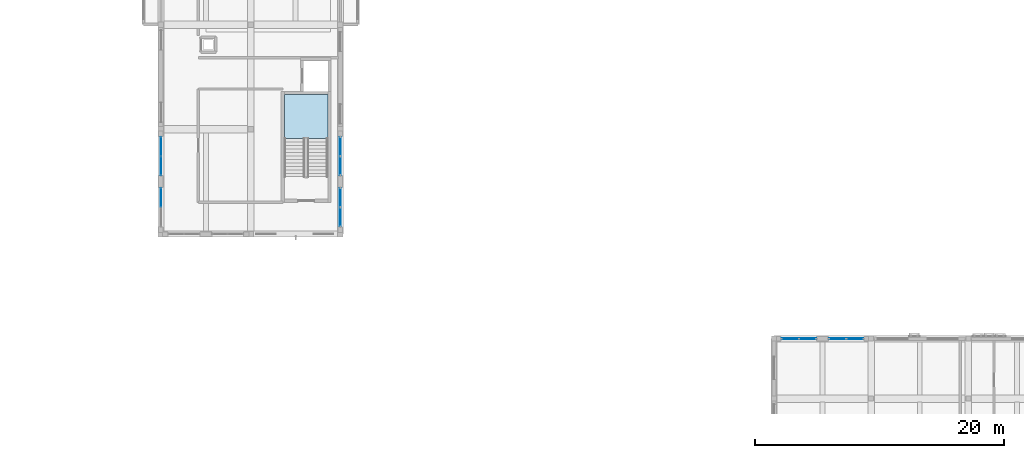
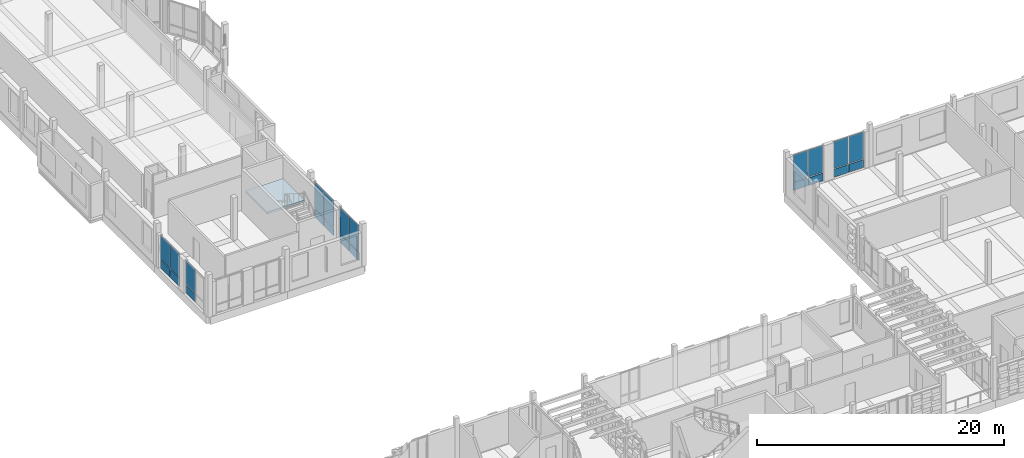
# One storey, part 50 of 99: 22 plates, 1 slab, 7 elements without a shape of their own.
"""IFC4 building model written with IfcOpenShell, lengths in metres."""

from ifc_helpers import new_model, si_unit, direction, frame, origin, origin_2d, place, context, subcontext, project, spatial, polyline, rectangle, outline, extrude, material, layer, layer_set, type_object, element, aggregate, save


model = new_model("IFC4")

# Units and contexts
model_context = context("Model", 3, precision=1e-05, world=origin(), true_north=direction((0.0, 1.0)))
body_context = subcontext(model_context, "Body", "Model", "MODEL_VIEW")
ifc_project = project(units=[si_unit("LENGTHUNIT", "METRE"), si_unit("AREAUNIT", "SQUARE_METRE"), si_unit("VOLUMEUNIT", "CUBIC_METRE"), si_unit("PLANEANGLEUNIT", "RADIAN"), si_unit("MASSUNIT", "GRAM", prefix="KILO")], contexts=[model_context])

# Site, building, storey
site_placement = place(None, origin())
site = spatial("IfcSite", under=ifc_project, at=site_placement, CompositionType="ELEMENT")
building_placement = place(site_placement, origin())
building = spatial("IfcBuilding", under=site, at=building_placement, Name="Kahlenmark Community Centre", CompositionType="ELEMENT")
storey_placement = place(building_placement, frame((0.0, 0.0, 5.39990234375)))
storey = spatial("IfcBuildingStorey", under=building, at=storey_placement, Name="L01", CompositionType="ELEMENT", Elevation=5.39990234375)

# Curtain wall, plates
ifc_material_1 = material(Name="Anodised aluminium unitised curtain wall", Category="aluminium")
curtain_wall_type_1 = type_object("IfcCurtainWallType", Name="CWT-UNIT-284X359", PredefinedType="USERDEFINED", material=ifc_material_1)
curtain_wall_1_placement = place(storey_placement, origin())
curtain_wall_1 = element("IfcCurtainWall", 1, at=curtain_wall_1_placement, inside=storey, type_object=curtain_wall_type_1, Name="Unitised curtain wall CW-054", ObjectType="UNITISED CURTAIN WALL", PredefinedType="USERDEFINED")
ifc_material_2 = material(Name="Triple low-e solar-control glass unit", Category="glass")
ifc_layer_1 = layer(ifc_material_2, 0.0439453125)
ifc_layer_set_1 = layer_set([ifc_layer_1], Name="Triple low-e solar-control glass unit")
plate_type_1 = type_object("IfcPlateType", Name="PLT-CW-GLZ-1340X2660", PredefinedType="CURTAIN_PANEL", material=ifc_layer_set_1)
plate_1_placement = place(storey_placement, frame((128.110107421875, 42.39990234375, 0.89013671875), z_axis=(0.0, 0.0, 1.0), x_axis=(-1.0, 0.0, 0.0)))
plate_1 = element("IfcPlate", 2, at=plate_1_placement, type_object=plate_type_1, Name="CW-054 glazed panel 1", PredefinedType="CURTAIN_PANEL", context=body_context, shape_type="SweptSolid", body=[
    extrude(rectangle(XDim=1.340087890625, YDim=0.0439453125, at=origin_2d()), origin(), (0.0, 0.0, 1.0), 2.659912109375),
])
plate_2_placement = place(storey_placement, frame((126.68994140625, 42.39990234375, 0.89013671875), z_axis=(0.0, 0.0, 1.0), x_axis=(-1.0, 0.0, 0.0)))
plate_2 = element("IfcPlate", 3, at=plate_2_placement, type_object=plate_type_1, Name="CW-054 glazed panel 2", PredefinedType="CURTAIN_PANEL", context=body_context, shape_type="SweptSolid", body=[
    extrude(rectangle(XDim=1.340087890625, YDim=0.0439453125, at=origin_2d()), origin(), (0.0, 0.0, 1.0), 2.659912109375),
])

curtain_wall_2_placement = place(storey_placement, origin())
curtain_wall_2 = element("IfcCurtainWall", 4, at=curtain_wall_2_placement, inside=storey, type_object=curtain_wall_type_1, Name="Unitised curtain wall CW-055", ObjectType="UNITISED CURTAIN WALL", PredefinedType="USERDEFINED")
plate_3_placement = place(storey_placement, frame((124.31005859375, 42.39990234375, 0.89013671875), z_axis=(0.0, 0.0, 1.0), x_axis=(-1.0, 0.0, 0.0)))
plate_3 = element("IfcPlate", 5, at=plate_3_placement, type_object=plate_type_1, Name="CW-055 glazed panel 1", PredefinedType="CURTAIN_PANEL", context=body_context, shape_type="SweptSolid", body=[
    extrude(rectangle(XDim=1.340087890625, YDim=0.0439453125, at=origin_2d()), origin(), (0.0, 0.0, 1.0), 2.659912109375),
])
plate_4_placement = place(storey_placement, frame((122.889892578125, 42.39990234375, 0.89013671875), z_axis=(0.0, 0.0, 1.0), x_axis=(-1.0, 0.0, 0.0)))
plate_4 = element("IfcPlate", 6, at=plate_4_placement, type_object=plate_type_1, Name="CW-055 glazed panel 2", PredefinedType="CURTAIN_PANEL", context=body_context, shape_type="SweptSolid", body=[
    extrude(rectangle(XDim=1.340087890625, YDim=0.0439453125, at=origin_2d()), origin(), (0.0, 0.0, 1.0), 2.659912109375),
])

curtain_wall_type_2 = type_object("IfcCurtainWallType", Name="CWT-UNIT-314X325", PredefinedType="USERDEFINED", material=ifc_material_1)
curtain_wall_3_placement = place(storey_placement, origin())
curtain_wall_3 = element("IfcCurtainWall", 7, at=curtain_wall_3_placement, inside=storey, type_object=curtain_wall_type_2, Name="Unitised curtain wall CW-042", ObjectType="UNITISED CURTAIN WALL", PredefinedType="USERDEFINED")
ifc_layer_2 = layer(ifc_material_2, 0.0439453125)
ifc_layer_set_2 = layer_set([ifc_layer_2], Name="Triple low-e solar-control glass unit")
plate_type_2 = type_object("IfcPlateType", Name="PLT-CW-GLZ-1490X2320", PredefinedType="CURTAIN_PANEL", material=ifc_layer_set_2)
plate_5_placement = place(storey_placement, frame((72.39990234375, 57.8349609375, 0.89013671875), z_axis=(0.0, 0.0, 1.0), x_axis=(0.0, -1.0, 0.0)))
plate_5 = element("IfcPlate", 8, at=plate_5_placement, type_object=plate_type_2, Name="CW-042 glazed panel 1", PredefinedType="CURTAIN_PANEL", context=body_context, shape_type="SweptSolid", body=[
    extrude(rectangle(XDim=1.489990234375, YDim=0.0439453125, at=origin_2d()), origin(), (0.0, 0.0, 1.0), 2.320068359375),
])
plate_6_placement = place(storey_placement, frame((72.39990234375, 56.264892578125, 0.89013671875), z_axis=(0.0, 0.0, 1.0), x_axis=(0.0, -1.0, 0.0)))
plate_6 = element("IfcPlate", 9, at=plate_6_placement, type_object=plate_type_2, Name="CW-042 glazed panel 2", PredefinedType="CURTAIN_PANEL", context=body_context, shape_type="SweptSolid", body=[
    extrude(rectangle(XDim=1.489990234375, YDim=0.0439453125, at=origin_2d()), origin(), (0.0, 0.0, 1.0), 2.320068359375),
])

# Curtain wall, plate
curtain_wall_4_placement = place(storey_placement, origin())
curtain_wall_4 = element("IfcCurtainWall", 10, at=curtain_wall_4_placement, inside=storey, type_object=curtain_wall_type_2, Name="Unitised curtain wall CW-043", ObjectType="UNITISED CURTAIN WALL", PredefinedType="USERDEFINED")
plate_7_placement = place(storey_placement, frame((72.39990234375, 53.735107421875, 0.89013671875), z_axis=(0.0, 0.0, 1.0), x_axis=(0.0, -1.0, 0.0)))
plate_7 = element("IfcPlate", 11, at=plate_7_placement, type_object=plate_type_2, Name="CW-043 glazed panel 1", PredefinedType="CURTAIN_PANEL", context=body_context, shape_type="SweptSolid", body=[
    extrude(rectangle(XDim=1.489990234375, YDim=0.0439453125, at=origin_2d()), origin(), (0.0, 0.0, 1.0), 2.320068359375),
])

# Curtain wall, plates
curtain_wall_type_3 = type_object("IfcCurtainWallType", Name="CWT-UNIT-314X352", PredefinedType="USERDEFINED", material=ifc_material_1)
curtain_wall_5_placement = place(storey_placement, origin())
curtain_wall_5 = element("IfcCurtainWall", 12, at=curtain_wall_5_placement, inside=storey, type_object=curtain_wall_type_3, Name="Unitised curtain wall CW-044", ObjectType="UNITISED CURTAIN WALL", PredefinedType="USERDEFINED")
ifc_layer_3 = layer(ifc_material_2, 0.0439453125)
ifc_layer_set_3 = layer_set([ifc_layer_3], Name="Triple low-e solar-control glass unit")
plate_type_3 = type_object("IfcPlateType", Name="PLT-CW-GLZ-1490X2590", PredefinedType="CURTAIN_PANEL", material=ifc_layer_set_3)
plate_8_placement = place(storey_placement, frame((86.800048828125, 52.1650390625, 0.89013671875), z_axis=(0.0, 0.0, 1.0), x_axis=(0.0, 1.0, 0.0)))
plate_8 = element("IfcPlate", 13, at=plate_8_placement, type_object=plate_type_3, Name="CW-044 glazed panel 1", PredefinedType="CURTAIN_PANEL", context=body_context, shape_type="SweptSolid", body=[
    extrude(rectangle(XDim=1.489990234375, YDim=0.0439453125, at=origin_2d()), origin(), (0.0, 0.0, 1.0), 2.590087890625),
])
plate_9_placement = place(storey_placement, frame((86.800048828125, 53.735107421875, 0.89013671875), z_axis=(0.0, 0.0, 1.0), x_axis=(0.0, 1.0, 0.0)))
plate_9 = element("IfcPlate", 14, at=plate_9_placement, type_object=plate_type_3, Name="CW-044 glazed panel 2", PredefinedType="CURTAIN_PANEL", context=body_context, shape_type="SweptSolid", body=[
    extrude(rectangle(XDim=1.489990234375, YDim=0.0439453125, at=origin_2d()), origin(), (0.0, 0.0, 1.0), 2.590087890625),
])

curtain_wall_6_placement = place(storey_placement, origin())
curtain_wall_6 = element("IfcCurtainWall", 15, at=curtain_wall_6_placement, inside=storey, type_object=curtain_wall_type_3, Name="Unitised curtain wall CW-045", ObjectType="UNITISED CURTAIN WALL", PredefinedType="USERDEFINED")
plate_10_placement = place(storey_placement, frame((86.800048828125, 56.264892578125, 0.89013671875), z_axis=(0.0, 0.0, 1.0), x_axis=(0.0, 1.0, 0.0)))
plate_10 = element("IfcPlate", 16, at=plate_10_placement, type_object=plate_type_3, Name="CW-045 glazed panel 1", PredefinedType="CURTAIN_PANEL", context=body_context, shape_type="SweptSolid", body=[
    extrude(rectangle(XDim=1.489990234375, YDim=0.0439453125, at=origin_2d()), origin(), (0.0, 0.0, 1.0), 2.590087890625),
])
plate_11_placement = place(storey_placement, frame((86.800048828125, 57.8349609375, 0.89013671875), z_axis=(0.0, 0.0, 1.0), x_axis=(0.0, 1.0, 0.0)))
plate_11 = element("IfcPlate", 17, at=plate_11_placement, type_object=plate_type_3, Name="CW-045 glazed panel 2", PredefinedType="CURTAIN_PANEL", context=body_context, shape_type="SweptSolid", body=[
    extrude(rectangle(XDim=1.489990234375, YDim=0.0439453125, at=origin_2d()), origin(), (0.0, 0.0, 1.0), 2.590087890625),
])

# Plate
ifc_material_3 = material(Name="Warm terracotta insulated spandrel cassette", Category="masonry")
ifc_layer_4 = layer(ifc_material_3, 0.06005859375)
ifc_layer_set_4 = layer_set([ifc_layer_4], Name="Warm terracotta insulated spandrel cassette")
plate_type_4 = type_object("IfcPlateType", Name="PLT-CW-SPD-1340X770", PredefinedType="CURTAIN_PANEL", material=ifc_layer_set_4)
plate_12_placement = place(storey_placement, frame((128.110107421875, 42.39990234375, 0.0400390625), z_axis=(0.0, 0.0, 1.0), x_axis=(-1.0, 0.0, 0.0)))
plate_12 = element("IfcPlate", 18, at=plate_12_placement, type_object=plate_type_4, Name="CW-054 spandrel 1", PredefinedType="CURTAIN_PANEL", context=body_context, shape_type="SweptSolid", body=[
    extrude(rectangle(XDim=1.340087890625, YDim=0.06005859375, at=origin_2d()), origin(), (0.0, 0.0, 1.0), 0.77001953125),
])

plate_13_placement = place(storey_placement, frame((126.68994140625, 42.39990234375, 0.0400390625), z_axis=(0.0, 0.0, 1.0), x_axis=(-1.0, 0.0, 0.0)))
plate_13 = element("IfcPlate", 19, at=plate_13_placement, type_object=plate_type_4, Name="CW-054 spandrel 2", PredefinedType="CURTAIN_PANEL", context=body_context, shape_type="SweptSolid", body=[
    extrude(rectangle(XDim=1.340087890625, YDim=0.06005859375, at=origin_2d()), origin(), (0.0, 0.0, 1.0), 0.77001953125),
])

aggregate(curtain_wall_1, [plate_12, plate_1, plate_13, plate_2])

plate_14_placement = place(storey_placement, frame((124.31005859375, 42.39990234375, 0.0400390625), z_axis=(0.0, 0.0, 1.0), x_axis=(-1.0, 0.0, 0.0)))
plate_14 = element("IfcPlate", 20, at=plate_14_placement, type_object=plate_type_4, Name="CW-055 spandrel 1", PredefinedType="CURTAIN_PANEL", context=body_context, shape_type="SweptSolid", body=[
    extrude(rectangle(XDim=1.340087890625, YDim=0.06005859375, at=origin_2d()), origin(), (0.0, 0.0, 1.0), 0.77001953125),
])

plate_15_placement = place(storey_placement, frame((122.889892578125, 42.39990234375, 0.0400390625), z_axis=(0.0, 0.0, 1.0), x_axis=(-1.0, 0.0, 0.0)))
plate_15 = element("IfcPlate", 21, at=plate_15_placement, type_object=plate_type_4, Name="CW-055 spandrel 2", PredefinedType="CURTAIN_PANEL", context=body_context, shape_type="SweptSolid", body=[
    extrude(rectangle(XDim=1.340087890625, YDim=0.06005859375, at=origin_2d()), origin(), (0.0, 0.0, 1.0), 0.77001953125),
])

aggregate(curtain_wall_2, [plate_14, plate_3, plate_15, plate_4])

ifc_layer_5 = layer(ifc_material_3, 0.06005859375)
ifc_layer_set_5 = layer_set([ifc_layer_5], Name="Warm terracotta insulated spandrel cassette")
plate_type_5 = type_object("IfcPlateType", Name="PLT-CW-SPD-1490X770", PredefinedType="CURTAIN_PANEL", material=ifc_layer_set_5)
plate_16_placement = place(storey_placement, frame((72.39990234375, 57.8349609375, 0.0400390625), z_axis=(0.0, 0.0, 1.0), x_axis=(0.0, -1.0, 0.0)))
plate_16 = element("IfcPlate", 22, at=plate_16_placement, type_object=plate_type_5, Name="CW-042 spandrel 1", PredefinedType="CURTAIN_PANEL", context=body_context, shape_type="SweptSolid", body=[
    extrude(rectangle(XDim=1.489990234375, YDim=0.06005859375, at=origin_2d()), origin(), (0.0, 0.0, 1.0), 0.77001953125),
])

plate_17_placement = place(storey_placement, frame((72.39990234375, 56.264892578125, 0.0400390625), z_axis=(0.0, 0.0, 1.0), x_axis=(0.0, -1.0, 0.0)))
plate_17 = element("IfcPlate", 23, at=plate_17_placement, type_object=plate_type_5, Name="CW-042 spandrel 2", PredefinedType="CURTAIN_PANEL", context=body_context, shape_type="SweptSolid", body=[
    extrude(rectangle(XDim=1.489990234375, YDim=0.06005859375, at=origin_2d()), origin(), (0.0, 0.0, 1.0), 0.77001953125),
])

aggregate(curtain_wall_3, [plate_16, plate_5, plate_17, plate_6])

plate_18_placement = place(storey_placement, frame((72.39990234375, 53.735107421875, 0.0400390625), z_axis=(0.0, 0.0, 1.0), x_axis=(0.0, -1.0, 0.0)))
plate_18 = element("IfcPlate", 24, at=plate_18_placement, type_object=plate_type_5, Name="CW-043 spandrel 1", PredefinedType="CURTAIN_PANEL", context=body_context, shape_type="SweptSolid", body=[
    extrude(rectangle(XDim=1.489990234375, YDim=0.06005859375, at=origin_2d()), origin(), (0.0, 0.0, 1.0), 0.77001953125),
])

aggregate(curtain_wall_4, [plate_18, plate_7])

plate_19_placement = place(storey_placement, frame((86.800048828125, 52.1650390625, 0.0400390625), z_axis=(0.0, 0.0, 1.0), x_axis=(0.0, 1.0, 0.0)))
plate_19 = element("IfcPlate", 25, at=plate_19_placement, type_object=plate_type_5, Name="CW-044 spandrel 1", PredefinedType="CURTAIN_PANEL", context=body_context, shape_type="SweptSolid", body=[
    extrude(rectangle(XDim=1.489990234375, YDim=0.06005859375, at=origin_2d()), origin(), (0.0, 0.0, 1.0), 0.77001953125),
])

plate_20_placement = place(storey_placement, frame((86.800048828125, 53.735107421875, 0.0400390625), z_axis=(0.0, 0.0, 1.0), x_axis=(0.0, 1.0, 0.0)))
plate_20 = element("IfcPlate", 26, at=plate_20_placement, type_object=plate_type_5, Name="CW-044 spandrel 2", PredefinedType="CURTAIN_PANEL", context=body_context, shape_type="SweptSolid", body=[
    extrude(rectangle(XDim=1.489990234375, YDim=0.06005859375, at=origin_2d()), origin(), (0.0, 0.0, 1.0), 0.77001953125),
])

aggregate(curtain_wall_5, [plate_19, plate_8, plate_20, plate_9])

plate_21_placement = place(storey_placement, frame((86.800048828125, 56.264892578125, 0.0400390625), z_axis=(0.0, 0.0, 1.0), x_axis=(0.0, 1.0, 0.0)))
plate_21 = element("IfcPlate", 27, at=plate_21_placement, type_object=plate_type_5, Name="CW-045 spandrel 1", PredefinedType="CURTAIN_PANEL", context=body_context, shape_type="SweptSolid", body=[
    extrude(rectangle(XDim=1.489990234375, YDim=0.06005859375, at=origin_2d()), origin(), (0.0, 0.0, 1.0), 0.77001953125),
])

plate_22_placement = place(storey_placement, frame((86.800048828125, 57.8349609375, 0.0400390625), z_axis=(0.0, 0.0, 1.0), x_axis=(0.0, 1.0, 0.0)))
plate_22 = element("IfcPlate", 28, at=plate_22_placement, type_object=plate_type_5, Name="CW-045 spandrel 2", PredefinedType="CURTAIN_PANEL", context=body_context, shape_type="SweptSolid", body=[
    extrude(rectangle(XDim=1.489990234375, YDim=0.06005859375, at=origin_2d()), origin(), (0.0, 0.0, 1.0), 0.77001953125),
])

aggregate(curtain_wall_6, [plate_21, plate_10, plate_22, plate_11])

# Stair, slab
ifc_material_4 = material(Name="Concrete C35/45", Category="concrete")
stair_type = type_object("IfcStairType", Name="STT-CORE-ST-06-175", PredefinedType="HALF_TURN_STAIR", material=ifc_material_4)
stair_placement = place(storey_placement, origin())
stair = element("IfcStair", 29, at=stair_placement, inside=storey, type_object=stair_type, Name="L01 Core K6 Escape Stair ST-06", PredefinedType="HALF_TURN_STAIR")
ifc_layer_6 = layer(ifc_material_4, 0.199951171875)
ifc_layer_set_6 = layer_set([ifc_layer_6], Name="Concrete C35/45")
slab_type = type_object("IfcSlabType", Name="SLT-CORE-200", PredefinedType="LANDING", material=ifc_layer_set_6)
slab_placement = place(storey_placement, frame((0.0, 0.0, 1.900146484375)))
slab = element("IfcSlab", 30, at=slab_placement, type_object=slab_type, Name="ST-06 landing 1", PredefinedType="LANDING", context=body_context, shape_type="SweptSolid", body=[
    extrude(outline(polyline([(85.800048828125, 58.47998046875), (85.800048828125, 62.0), (82.300048828125, 62.0), (82.300048828125, 58.47998046875), (85.800048828125, 58.47998046875)])), origin(), (0.0, 0.0, 1.0), 0.199951171875),
])
aggregate(stair, [slab])

save(model, "model.ifc")
